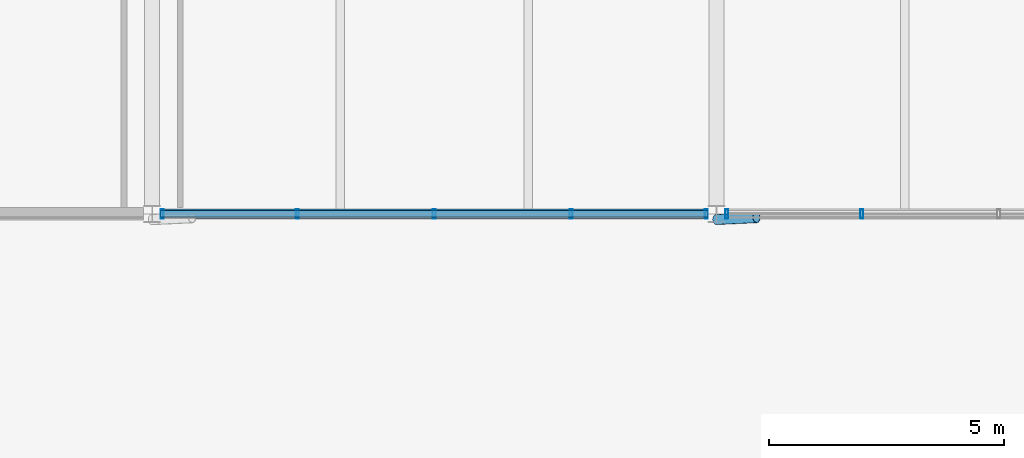
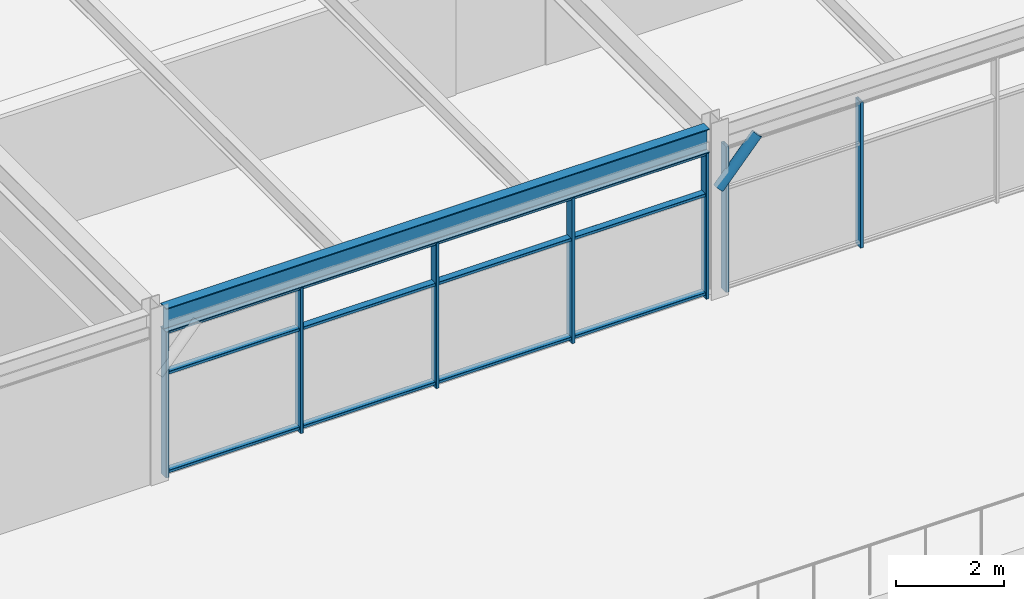
# One storey, part 9 of 30: 11 members, 1 beam, 2 elements without a shape of their own.
"""IFC4 building model written with IfcOpenShell, lengths in metres."""

from ifc_helpers import new_model, si_unit, direction, frame, origin, origin_2d, place, context, subcontext, project, spatial, hollow_rectangle, hollow_circle, i_section, extrude, material, material_profile, profile_set, type_object, element, aggregate, save


model = new_model("IFC4")

# Units and contexts
model_context = context("Model", 3, precision=1e-05, world=origin(), true_north=direction((0.0, 1.0)))
body_context = subcontext(model_context, "Body", "Model", "MODEL_VIEW")
ifc_project = project(units=[si_unit("LENGTHUNIT", "METRE"), si_unit("AREAUNIT", "SQUARE_METRE"), si_unit("VOLUMEUNIT", "CUBIC_METRE"), si_unit("PLANEANGLEUNIT", "RADIAN"), si_unit("MASSUNIT", "GRAM", prefix="KILO")], contexts=[model_context])

# Site, building, storey
site_placement = place(None, origin())
site = spatial("IfcSite", under=ifc_project, at=site_placement, CompositionType="ELEMENT")
building_placement = place(site_placement, origin())
building = spatial("IfcBuilding", under=site, at=building_placement, Name="Girod Span Mobility Hub", CompositionType="ELEMENT")
storey_placement = place(building_placement, frame((0.0, 0.0, 49.60009765625)))
storey = spatial("IfcBuildingStorey", under=building, at=storey_placement, Name="L12", CompositionType="ELEMENT", Elevation=49.60009765625)

# Beam
ifc_material_1 = material(Name="Steel A992 Grade 50", Category="steel")
ifc_material_profile_1 = material_profile(ifc_material_1, i_section(OverallWidth=0.2119140625, OverallDepth=0.5439453125, WebThickness=0.01318359375, FlangeThickness=0.021240234375, FilletRadius=0.014892578125, at=origin_2d()), Name="W21X83")
ifc_profile_set_1 = profile_set([ifc_material_profile_1], Name="Steel A992 Grade 50")
beam_type = type_object("IfcBeamType", Name="BM-STL-W21X83", PredefinedType="SPANDREL", material=ifc_profile_set_1)
beam_placement = place(storey_placement, frame((72.181396484375, 45.0, 3.572998046875), z_axis=(1.0, 0.0, 0.0), x_axis=(0.0, 1.0, 0.0)))
element("IfcBeam", 1, at=beam_placement, inside=storey, type_object=beam_type, Name="Girder 7-8/D L12", PredefinedType="SPANDREL", context=body_context, shape_type="SweptSolid", body=[
    extrude(i_section(OverallWidth=0.2119140625, OverallDepth=0.5439453125, WebThickness=0.01318359375, FlangeThickness=0.021240234375, FilletRadius=0.014892578125, at=origin_2d()), origin(), (0.0, 0.0, 1.0), 11.63720703125),
])

# Curtain wall, members
ifc_material_2 = material(Name="Thermally Broken Anodised Aluminium", Category="aluminium")
curtain_wall_type = type_object("IfcCurtainWallType", Name="CW-1164X330", PredefinedType="USERDEFINED", material=ifc_material_2)
curtain_wall_1_placement = place(storey_placement, origin())
curtain_wall_1 = element("IfcCurtainWall", 2, at=curtain_wall_1_placement, inside=storey, type_object=curtain_wall_type, Name="Unitised Curtain Wall CW-L12-S07 L12", ObjectType="UNITISED CURTAIN WALL", PredefinedType="USERDEFINED")
ifc_material_3 = material(Name="Thermally Broken Anodised Aluminium", Category="aluminium")
ifc_material_profile_2 = material_profile(ifc_material_3, hollow_rectangle(XDim=0.199951171875, YDim=0.06494140625, WallThickness=0.00390625, InnerFilletRadius=0.00390625, OuterFilletRadius=0.008056640625, at=origin_2d()), Name="CW-ML-65X200")
ifc_profile_set_2 = profile_set([ifc_material_profile_2], Name="Thermally Broken Anodised Aluminium")
member_type_1 = type_object("IfcMemberType", Name="CWM-ML-1", PredefinedType="MULLION", material=ifc_profile_set_2)
member_1_placement = place(storey_placement, frame((72.214599609375, 45.0, 0.0), z_axis=(0.0, 0.0, 1.0), x_axis=(0.0, 1.0, 0.0)))
member_1 = element("IfcMember", 3, at=member_1_placement, type_object=member_type_1, Name="Curtain Wall Mullion CW-L12-S07-M0", PredefinedType="MULLION", context=body_context, shape_type="SweptSolid", body=[
    extrude(hollow_rectangle(XDim=0.199951171875, YDim=0.06494140625, WallThickness=0.00390625, InnerFilletRadius=0.00390625, OuterFilletRadius=0.008056640625, at=origin_2d()), origin(), (0.0, 0.0, 1.0), 3.30078125),
])
member_2_placement = place(storey_placement, frame((75.09130859375, 45.0, 0.0), z_axis=(0.0, 0.0, 1.0), x_axis=(0.0, 1.0, 0.0)))
member_2 = element("IfcMember", 4, at=member_2_placement, type_object=member_type_1, Name="Curtain Wall Mullion CW-L12-S07-M1", PredefinedType="MULLION", context=body_context, shape_type="SweptSolid", body=[
    extrude(hollow_rectangle(XDim=0.199951171875, YDim=0.06494140625, WallThickness=0.00390625, InnerFilletRadius=0.00390625, OuterFilletRadius=0.008056640625, at=origin_2d()), origin(), (0.0, 0.0, 1.0), 3.30078125),
])
member_3_placement = place(storey_placement, frame((78.0, 45.0, 0.0), z_axis=(0.0, 0.0, 1.0), x_axis=(0.0, 1.0, 0.0)))
member_3 = element("IfcMember", 5, at=member_3_placement, type_object=member_type_1, Name="Curtain Wall Mullion CW-L12-S07-M2", PredefinedType="MULLION", context=body_context, shape_type="SweptSolid", body=[
    extrude(hollow_rectangle(XDim=0.199951171875, YDim=0.06494140625, WallThickness=0.00390625, InnerFilletRadius=0.00390625, OuterFilletRadius=0.008056640625, at=origin_2d()), origin(), (0.0, 0.0, 1.0), 3.30078125),
])
member_4_placement = place(storey_placement, frame((80.90869140625, 45.0, 0.0), z_axis=(0.0, 0.0, 1.0), x_axis=(0.0, 1.0, 0.0)))
member_4 = element("IfcMember", 6, at=member_4_placement, type_object=member_type_1, Name="Curtain Wall Mullion CW-L12-S07-M3", PredefinedType="MULLION", context=body_context, shape_type="SweptSolid", body=[
    extrude(hollow_rectangle(XDim=0.199951171875, YDim=0.06494140625, WallThickness=0.00390625, InnerFilletRadius=0.00390625, OuterFilletRadius=0.008056640625, at=origin_2d()), origin(), (0.0, 0.0, 1.0), 3.30078125),
])
member_5_placement = place(storey_placement, frame((83.785400390625, 45.0, 0.0), z_axis=(0.0, 0.0, 1.0), x_axis=(0.0, 1.0, 0.0)))
member_5 = element("IfcMember", 7, at=member_5_placement, type_object=member_type_1, Name="Curtain Wall Mullion CW-L12-S07-M4", PredefinedType="MULLION", context=body_context, shape_type="SweptSolid", body=[
    extrude(hollow_rectangle(XDim=0.199951171875, YDim=0.06494140625, WallThickness=0.00390625, InnerFilletRadius=0.00390625, OuterFilletRadius=0.008056640625, at=origin_2d()), origin(), (0.0, 0.0, 1.0), 3.30078125),
])

curtain_wall_2_placement = place(storey_placement, origin())
curtain_wall_2 = element("IfcCurtainWall", 8, at=curtain_wall_2_placement, inside=storey, type_object=curtain_wall_type, Name="Unitised Curtain Wall CW-L12-S08 L12", ObjectType="UNITISED CURTAIN WALL", PredefinedType="USERDEFINED")
member_6_placement = place(storey_placement, frame((84.214599609375, 45.0, 0.0), z_axis=(0.0, 0.0, 1.0), x_axis=(0.0, 1.0, 0.0)))
member_6 = element("IfcMember", 9, at=member_6_placement, type_object=member_type_1, Name="Curtain Wall Mullion CW-L12-S08-M0", PredefinedType="MULLION", context=body_context, shape_type="SweptSolid", body=[
    extrude(hollow_rectangle(XDim=0.199951171875, YDim=0.06494140625, WallThickness=0.00390625, InnerFilletRadius=0.00390625, OuterFilletRadius=0.008056640625, at=origin_2d()), origin(), (0.0, 0.0, 1.0), 3.30078125),
])
member_7_placement = place(storey_placement, frame((87.09130859375, 45.0, 0.0), z_axis=(0.0, 0.0, 1.0), x_axis=(0.0, 1.0, 0.0)))
member_7 = element("IfcMember", 10, at=member_7_placement, type_object=member_type_1, Name="Curtain Wall Mullion CW-L12-S08-M1", PredefinedType="MULLION", context=body_context, shape_type="SweptSolid", body=[
    extrude(hollow_rectangle(XDim=0.199951171875, YDim=0.06494140625, WallThickness=0.00390625, InnerFilletRadius=0.00390625, OuterFilletRadius=0.008056640625, at=origin_2d()), origin(), (0.0, 0.0, 1.0), 3.30078125),
])
aggregate(curtain_wall_2, [member_6, member_7])

# Member
ifc_material_4 = material(Name="Thermally Broken Anodised Aluminium", Category="aluminium")
ifc_material_profile_3 = material_profile(ifc_material_4, hollow_rectangle(XDim=0.14990234375, YDim=0.06494140625, WallThickness=0.00390625, InnerFilletRadius=0.00390625, OuterFilletRadius=0.008056640625, at=origin_2d()), Name="CW-TR-65X150")
ifc_profile_set_3 = profile_set([ifc_material_profile_3], Name="Thermally Broken Anodised Aluminium")
member_type_2 = type_object("IfcMemberType", Name="CWM-TR-1", PredefinedType="USERDEFINED", material=ifc_profile_set_3)
member_8_placement = place(storey_placement, frame((72.1826171875, 45.0, 0.107421875), z_axis=(1.0, 0.0, 0.0), x_axis=(0.0, 1.0, 0.0)))
member_8 = element("IfcMember", 11, at=member_8_placement, type_object=member_type_2, Name="Curtain Wall Transom CW-L12-S07-T1", ObjectType="TRANSOM", PredefinedType="USERDEFINED", context=body_context, shape_type="SweptSolid", body=[
    extrude(hollow_rectangle(XDim=0.14990234375, YDim=0.06494140625, WallThickness=0.00390625, InnerFilletRadius=0.00390625, OuterFilletRadius=0.008056640625, at=origin_2d()), origin(), (0.0, 0.0, 1.0), 11.634765625),
])

member_9_placement = place(storey_placement, frame((72.1826171875, 45.0, 2.343994140625), z_axis=(1.0, 0.0, 0.0), x_axis=(0.0, 1.0, 0.0)))
member_9 = element("IfcMember", 12, at=member_9_placement, type_object=member_type_2, Name="Curtain Wall Transom CW-L12-S07-T2", ObjectType="TRANSOM", PredefinedType="USERDEFINED", context=body_context, shape_type="SweptSolid", body=[
    extrude(hollow_rectangle(XDim=0.14990234375, YDim=0.06494140625, WallThickness=0.00390625, InnerFilletRadius=0.00390625, OuterFilletRadius=0.008056640625, at=origin_2d()), origin(), (0.0, 0.0, 1.0), 11.634765625),
])

member_10_placement = place(storey_placement, frame((72.1826171875, 45.0, 3.268310546875), z_axis=(1.0, 0.0, 0.0), x_axis=(0.0, 1.0, 0.0)))
member_10 = element("IfcMember", 13, at=member_10_placement, type_object=member_type_2, Name="Curtain Wall Transom CW-L12-S07-T3", ObjectType="TRANSOM", PredefinedType="USERDEFINED", context=body_context, shape_type="SweptSolid", body=[
    extrude(hollow_rectangle(XDim=0.14990234375, YDim=0.06494140625, WallThickness=0.00390625, InnerFilletRadius=0.00390625, OuterFilletRadius=0.008056640625, at=origin_2d()), origin(), (0.0, 0.0, 1.0), 11.634765625),
])

aggregate(curtain_wall_1, [member_1, member_2, member_3, member_4, member_5, member_8, member_9, member_10])

ifc_material_5 = material(Name="Steel HSS A500 Grade C", Category="steel")
ifc_material_profile_4 = material_profile(ifc_material_5, hollow_circle(Radius=0.109619140625, WallThickness=0.0087890625, at=origin_2d()), Name="HSS219X9.5")
ifc_profile_set_4 = profile_set([ifc_material_profile_4], Name="Steel HSS A500 Grade C")
member_type_3 = type_object("IfcMemberType", Name="MB-ST-HSS219", PredefinedType="STRUT", material=ifc_profile_set_4)
member_11_placement = place(storey_placement, frame((84.0, 44.8798828125, 2.449951171875), z_axis=(0.680281556862, 0.032040831512, 0.732250222608), x_axis=(-0.047047213483, 0.998892666758, 0.0)))
element("IfcMember", 14, at=member_11_placement, inside=storey, type_object=member_type_3, Name="Solar Shading Knee Strut 8 L12", PredefinedType="STRUT", context=body_context, shape_type="SweptSolid", body=[
    extrude(hollow_circle(Radius=0.109619140625, WallThickness=0.0087890625, at=origin_2d()), origin(), (0.0, 0.0, 1.0), 1.24951171875),
])

save(model, "model.ifc")
